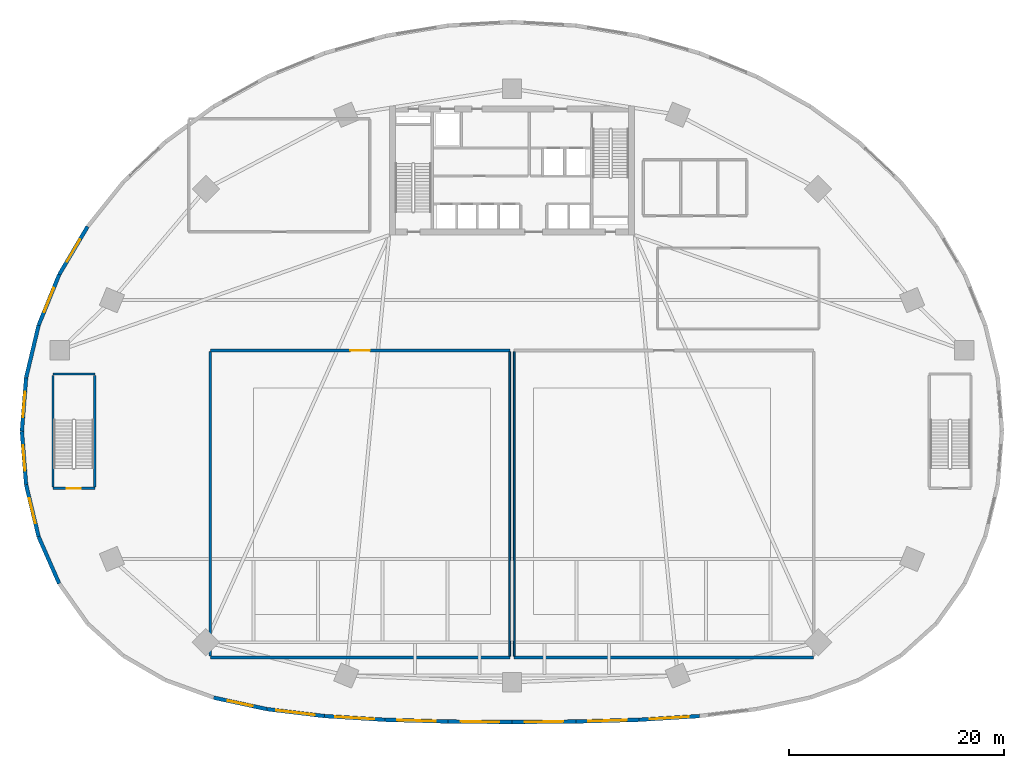
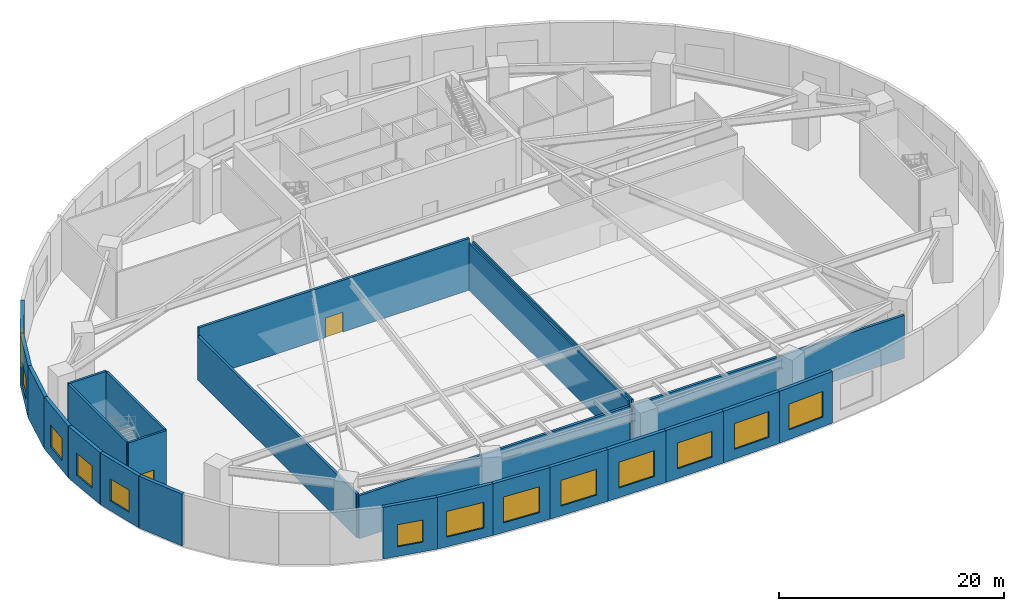
# One storey, part 2 of 10: 25 walls, 13 windows, 2 doors, 15 openings.
"""IFC4 building model written with IfcOpenShell, lengths in metres."""

import ifcopenshell
import ifcopenshell.guid

model = None  # the IFC model being written
_history = None  # IfcOwnerHistory: only IFC2X3 demands one
_inside = {}  # id of a spatial element -> (the spatial element, [elements in it])
_under = {}  # id of a project, library or spatial element -> (it, [spatial elements below it])
_declared = {}  # id of a project -> (the project, [libraries it declares])
_typed = {}  # id of a type object -> (the type object, [elements of that type])
_made_of = {}  # id of a material, layer set ... -> (it, [elements and type objects made of it])


def new_model(schema):
    """Start an empty IFC model of exactly this schema.

    Asked for "IFC4X3", IfcOpenShell would pick the latest addendum, in which some entities
    have other attributes; the version numbers below select the first issue.
    IFC2X3 requires an IfcOwnerHistory on every rooted entity: one is made here for all.
    """
    global model, _history
    if schema == "IFC4X3":
        model = ifcopenshell.file(schema_version=(4, 3, 0, 0))
    else:
        model = ifcopenshell.file(schema=schema)
    _inside.clear()
    _under.clear()
    _declared.clear()
    _typed.clear()
    _made_of.clear()
    _history = None
    if model.schema == "IFC2X3":
        org = make("IfcOrganization", Name="unknown")
        user = make(
            "IfcPersonAndOrganization",
            ThePerson=make("IfcPerson", FamilyName="unknown"),
            TheOrganization=org,
        )
        app = make(
            "IfcApplication",
            ApplicationDeveloper=org,
            Version="unknown",
            ApplicationFullName="unknown",
            ApplicationIdentifier="unknown",
        )
        _history = make(
            "IfcOwnerHistory",
            OwningUser=user,
            OwningApplication=app,
            ChangeAction="ADDED",
            CreationDate=0,
        )
    return model


def make(cls, **values):
    """One entity of the class cls with the attributes given. An attribute that is None is left unset."""
    return model.create_entity(
        cls, **{name: value for name, value in values.items() if value is not None}
    )


def rooted(cls, **values):
    """An entity with a GlobalId (a new one), such as an element, a storey or a relation."""
    return make(cls, GlobalId=ifcopenshell.guid.new(), OwnerHistory=_history, **values)


def si_unit(unit_type, name, prefix=None):
    """IfcSIUnit, for example si_unit("LENGTHUNIT", "METRE", prefix="MILLI")."""
    return make("IfcSIUnit", UnitType=unit_type, Prefix=prefix, Name=name)


def assignment(units):
    """IfcUnitAssignment: the units of a project."""
    return None if units is None else make("IfcUnitAssignment", Units=units)


def point(xyz):
    """IfcCartesianPoint."""
    return None if xyz is None else make("IfcCartesianPoint", Coordinates=xyz)


def direction(xyz):
    """IfcDirection."""
    return None if xyz is None else make("IfcDirection", DirectionRatios=xyz)


def frame(location, z_axis=None, x_axis=None):
    """IfcAxis2Placement3D, a coordinate frame: its origin and axes. An axis left out is left unset."""
    return make(
        "IfcAxis2Placement3D",
        Location=point(location),
        Axis=direction(z_axis),
        RefDirection=direction(x_axis),
    )


def frame_2d(location, x_axis=None):
    """IfcAxis2Placement2D, a coordinate frame in the plane: its origin and x axis."""
    return make(
        "IfcAxis2Placement2D", Location=point(location), RefDirection=direction(x_axis)
    )


def origin():
    """The frame at (0, 0, 0) with its axes left unset."""
    return frame((0.0, 0.0, 0.0))


def place(relative_to, where):
    """IfcLocalPlacement: puts the frame where relative to a parent placement (None: the world)."""
    return make(
        "IfcLocalPlacement", PlacementRelTo=relative_to, RelativePlacement=where
    )


def context(
    kind, dimensions, precision=None, world=None, true_north=None, identifier=None
):
    """IfcGeometricRepresentationContext, for example the 3D "Model" context."""
    return make(
        "IfcGeometricRepresentationContext",
        ContextIdentifier=identifier,
        ContextType=kind,
        CoordinateSpaceDimension=dimensions,
        Precision=precision,
        WorldCoordinateSystem=world,
        TrueNorth=true_north,
    )


def subcontext(parent, identifier, kind, view, scale=None):
    """IfcGeometricRepresentationSubContext, for example "Body" below "Model"."""
    return make(
        "IfcGeometricRepresentationSubContext",
        ContextIdentifier=identifier,
        ContextType=kind,
        ParentContext=parent,
        TargetScale=scale,
        TargetView=view,
    )


def project(units=None, contexts=None):
    """IfcProject with its units and contexts."""
    return rooted(
        "IfcProject",
        Name="project",
        RepresentationContexts=contexts,
        UnitsInContext=assignment(units),
    )


def spatial(cls, under=None, at=None, **own):
    """A site, building, storey or space (cls), placed at a placement, below another one or the project."""
    s = rooted(cls, ObjectPlacement=at, **own)
    if under is not None:
        _under.setdefault(under.id(), (under, []))[1].append(s)
    return s


def profile(cls, at=None, kind="AREA", **sizes):
    """A parametric profile (cls). Its sizes go by their IFC names, for example OverallWidth=200.0."""
    return make(cls, ProfileType=kind, Position=at, **sizes)


def rectangle(**sizes):
    """IfcRectangleProfileDef."""
    return profile("IfcRectangleProfileDef", **sizes)


def extrude(swept, where, along, depth):
    """IfcExtrudedAreaSolid: the profile swept, set in the frame where, extruded along a direction by depth."""
    return make(
        "IfcExtrudedAreaSolid",
        SweptArea=swept,
        Position=where,
        ExtrudedDirection=direction(along),
        Depth=depth,
    )


def shape(context_of_items, identifier, shape_type, items):
    """IfcShapeRepresentation: the items that make up one representation, for example the "Body"."""
    return make(
        "IfcShapeRepresentation",
        ContextOfItems=context_of_items,
        RepresentationIdentifier=identifier,
        RepresentationType=shape_type,
        Items=items,
    )


def source(mapping_origin, context_of_items, identifier, shape_type, items):
    """IfcRepresentationMap: a shape defined once, which mapped items show again and again."""
    return make(
        "IfcRepresentationMap",
        MappingOrigin=mapping_origin,
        MappedRepresentation=shape(context_of_items, identifier, shape_type, items),
    )


def transform(
    local_origin,
    x_axis=None,
    y_axis=None,
    z_axis=None,
    scale=None,
    scale2=None,
    scale3=None,
    uniform=True,
):
    """IfcCartesianTransformationOperator3D, or its non-uniform kind. x_axis, y_axis, z_axis: its Axis1, 2, 3."""
    if uniform:
        return make(
            "IfcCartesianTransformationOperator3D",
            Axis1=direction(x_axis),
            Axis2=direction(y_axis),
            LocalOrigin=point(local_origin),
            Scale=scale,
            Axis3=direction(z_axis),
        )
    return make(
        "IfcCartesianTransformationOperator3DnonUniform",
        Axis1=direction(x_axis),
        Axis2=direction(y_axis),
        LocalOrigin=point(local_origin),
        Scale=scale,
        Axis3=direction(z_axis),
        Scale2=scale2,
        Scale3=scale3,
    )


def mapped(mapping_source, mapping_target):
    """IfcMappedItem: shows the shape of a source again, moved by a transform."""
    return make(
        "IfcMappedItem", MappingSource=mapping_source, MappingTarget=mapping_target
    )


def material(Name=None, Category=None):
    """IfcMaterial."""
    return make("IfcMaterial", Name=Name, Category=Category)


def layer(
    of_material, thickness, ventilated=None, Name=None, Category=None, Priority=None
):
    """IfcMaterialLayer: one layer of a wall or slab, of a material (None: an air gap)."""
    return make(
        "IfcMaterialLayer",
        Material=of_material,
        LayerThickness=thickness,
        IsVentilated=ventilated,
        Name=Name,
        Category=Category,
        Priority=Priority,
    )


def layer_set(layers, Name=None):
    """IfcMaterialLayerSet."""
    return make("IfcMaterialLayerSet", MaterialLayers=layers, LayerSetName=Name)


def made_of(thing, what):
    """Note that an element or type object is made of a material, layer set ...; save() writes the relation."""
    if what is not None:
        _made_of.setdefault(what.id(), (what, []))[1].append(thing)
    return thing


def type_object(cls, material=None, **own):
    """A type object (cls), such as IfcWallType, which elements share."""
    return made_of(rooted(cls, **own), material)


def type_shapes(of_type, sources):
    """Give a type object the sources (RepresentationMaps) that its elements show as mapped items."""
    of_type.RepresentationMaps = sources


def element(
    cls,
    number,
    at=None,
    inside=None,
    cuts=None,
    type_object=None,
    material=None,
    context=None,
    identifier="Body",
    shape_type=None,
    held_by="IfcProductDefinitionShape",
    body=None,
    shapes=None,
    **own,
):
    """One element of the class cls, such as IfcWall. Its Tag is "e" and its number.

    at: its placement. inside: the storey or other place that contains it. cuts: it is an
    opening in that element (IfcRelVoidsElement). A single representation is given by context,
    identifier, shape_type and body (its items); several are given by shapes. held_by: the class
    of the entity that holds the representations. save() writes the other relations.
    """
    e = rooted(cls, Tag="e%d" % number, ObjectPlacement=at, **own)
    if body is not None:
        shapes = [shape(context, identifier, shape_type, body)]
    if shapes is not None:
        e.Representation = make(held_by, Representations=shapes)
    if inside is not None:
        _inside.setdefault(inside.id(), (inside, []))[1].append(e)
    if cuts is not None:
        rooted(
            "IfcRelVoidsElement", RelatingBuildingElement=cuts, RelatedOpeningElement=e
        )
    if type_object is not None:
        _typed.setdefault(type_object.id(), (type_object, []))[1].append(e)
    return made_of(e, material)


def fill(opening, filler):
    """IfcRelFillsElement: the door or window that sits in an opening."""
    return rooted(
        "IfcRelFillsElement",
        RelatingOpeningElement=opening,
        RelatedBuildingElement=filler,
    )


def aggregate(whole, parts):
    """IfcRelAggregates: a whole, such as a stair, and the parts it consists of."""
    return rooted("IfcRelAggregates", RelatingObject=whole, RelatedObjects=parts)


def save(model, path):
    """Write the relations noted so far, then the file.

    IfcRelAggregates (storeys below a building ...), IfcRelContainedInSpatialStructure (elements
    in a storey), IfcRelDefinesByType, IfcRelAssociatesMaterial and IfcRelDeclares: one each for
    every whole, place, type object, material and project.
    """
    for whole, parts in _under.values():
        aggregate(whole, parts)
    for where, things in _inside.values():
        rooted(
            "IfcRelContainedInSpatialStructure",
            RelatedElements=things,
            RelatingStructure=where,
        )
    for kind, things in _typed.values():
        rooted("IfcRelDefinesByType", RelatedObjects=things, RelatingType=kind)
    for what, things in _made_of.values():
        rooted("IfcRelAssociatesMaterial", RelatedObjects=things, RelatingMaterial=what)
    for by, libraries in _declared.values():
        rooted("IfcRelDeclares", RelatingContext=by, RelatedDefinitions=libraries)
    model.write(path)


model = new_model("IFC4")

# Units and contexts
model_context = context("Model", 3, precision=1e-05, world=origin(), true_north=direction((0.0, 1.0)))
body_context = subcontext(model_context, "Body", "Model", "MODEL_VIEW")
ifc_project = project(units=[si_unit("LENGTHUNIT", "METRE"), si_unit("AREAUNIT", "SQUARE_METRE"), si_unit("VOLUMEUNIT", "CUBIC_METRE"), si_unit("PLANEANGLEUNIT", "RADIAN"), si_unit("MASSUNIT", "GRAM", prefix="KILO")], contexts=[model_context])

# Site, building, storey
site_placement = place(None, origin())
site = spatial("IfcSite", under=ifc_project, at=site_placement, CompositionType="ELEMENT")
building_placement = place(site_placement, origin())
building = spatial("IfcBuilding", under=site, at=building_placement, Name="Breltana Convention Tower", CompositionType="ELEMENT")
storey_placement = place(building_placement, frame((0.0, 0.0, 18.0)))
storey = spatial("IfcBuildingStorey", under=building, at=storey_placement, Name="L03", CompositionType="ELEMENT", Elevation=18.0)

# Wall, opening, window
ifc_material_1 = material(Name="Limestone Buff Insulated Wall", Category="masonry")
ifc_layer_1 = layer(ifc_material_1, 0.35009765625, Name="Limestone Buff Insulated Wall")
ifc_layer_set_1 = layer_set([ifc_layer_1], Name="Limestone Buff Insulated Wall")
wall_type_1 = type_object("IfcWallType", Name="WL-EXT-POD-350", PredefinedType="SOLIDWALL", material=ifc_layer_set_1)
shared_shape_1 = source(origin(), body_context, "Body", "SweptSolid", [
    extrude(rectangle(XDim=4.975341796875, YDim=0.35009765625, at=frame_2d((2.48779296875, 0.0))), origin(), (0.0, 0.0, 1.0), 5.6201171875),
])
wall_1_placement = place(storey_placement, frame((2.889404296875, 46.9599609375, 0.0), z_axis=(0.0, 0.0, 1.0), x_axis=(-0.07826870534, -0.996932299489, 0.0)))
wall_1 = element("IfcWall", 1, at=wall_1_placement, inside=storey, type_object=wall_type_1, Name="L03 limestone facade wall 24", PredefinedType="SOLIDWALL", context=body_context, shape_type="MappedRepresentation", body=[
    mapped(shared_shape_1, transform((0.0, 0.0, 0.0), scale=1.0)),
])
opening_1_placement = place(wall_1_placement, frame((1.28759765625, 0.0, 1.050048828125)))
opening_1 = element("IfcOpeningElement", 2, at=opening_1_placement, cuts=wall_1, Name="Opening W-02", PredefinedType="OPENING", context=body_context, shape_type="SweptSolid", body=[
    extrude(rectangle(XDim=2.39990234375, YDim=2.39990234375, at=frame_2d((1.199951171875, 1.199951171875))), frame((0.0, 0.18505859375, 0.0), z_axis=(0.0, -1.0, 0.0), x_axis=(1.0, 0.0, 0.0)), (0.0, 0.0, 1.0), 0.3701171875),
])
ifc_material_2 = material(Name="Glass Low-E Insulated Window", Category="glass")
window_type_1 = type_object("IfcWindowType", Name="WN-POD-2400X2400", PartitioningType="DOUBLE_PANEL_VERTICAL", PredefinedType="WINDOW", material=ifc_material_2)
shared_shape_2 = source(origin(), body_context, "Body", "SweptSolid", [
    extrude(rectangle(XDim=2.39990234375, YDim=2.39990234375, at=frame_2d((1.199951171875, 1.199951171875))), frame((0.0, 0.030029296875, 0.0), z_axis=(0.0, -1.0, 0.0), x_axis=(1.0, 0.0, 0.0)), (0.0, 0.0, 1.0), 0.06005859375),
])
type_shapes(window_type_1, [shared_shape_2])
window_1_placement = place(opening_1_placement, origin())
window_1 = element("IfcWindow", 3, at=window_1_placement, inside=storey, type_object=window_type_1, Name="L03 tripartite window 24.1", OverallHeight=2.39990234375, OverallWidth=2.39990234375, PartitioningType="DOUBLE_PANEL_VERTICAL", PredefinedType="WINDOW", context=body_context, shape_type="MappedRepresentation", body=[
    mapped(shared_shape_2, transform((0.0, 0.0, 0.0), scale=1.0)),
])
fill(opening_1, window_1)

wall_2_placement = place(storey_placement, frame((2.5, 42.0, 0.0), z_axis=(0.0, 0.0, 1.0), x_axis=(0.07826870534, -0.996932299489, 0.0)))
wall_2 = element("IfcWall", 4, at=wall_2_placement, inside=storey, type_object=wall_type_1, Name="L03 limestone facade wall 25", PredefinedType="SOLIDWALL", context=body_context, shape_type="MappedRepresentation", body=[
    mapped(shared_shape_1, transform((0.0, 0.0, 0.0), scale=1.0)),
])
opening_2_placement = place(wall_2_placement, frame((1.28759765625, 0.0, 1.050048828125)))
opening_2 = element("IfcOpeningElement", 5, at=opening_2_placement, cuts=wall_2, Name="Opening W-02", PredefinedType="OPENING", context=body_context, shape_type="SweptSolid", body=[
    extrude(rectangle(XDim=2.39990234375, YDim=2.39990234375, at=frame_2d((1.199951171875, 1.199951171875))), frame((0.0, 0.18505859375, 0.0), z_axis=(0.0, -1.0, 0.0), x_axis=(1.0, 0.0, 0.0)), (0.0, 0.0, 1.0), 0.3701171875),
])
window_2_placement = place(opening_2_placement, origin())
window_2 = element("IfcWindow", 6, at=window_2_placement, inside=storey, type_object=window_type_1, Name="L03 tripartite window 25.1", OverallHeight=2.39990234375, OverallWidth=2.39990234375, PartitioningType="DOUBLE_PANEL_VERTICAL", PredefinedType="WINDOW", context=body_context, shape_type="MappedRepresentation", body=[
    mapped(shared_shape_2, transform((0.0, 0.0, 0.0), scale=1.0)),
])
fill(opening_2, window_2)

# Wall
shared_shape_3 = source(origin(), body_context, "Body", "SweptSolid", [
    extrude(rectangle(XDim=5.011474609375, YDim=0.35009765625, at=frame_2d((2.505859375, 0.0))), origin(), (0.0, 0.0, 1.0), 5.6201171875),
])
wall_3_placement = place(storey_placement, frame((4.05029296875, 51.835205078125, 0.0), z_axis=(0.0, 0.0, 1.0), x_axis=(-0.23164248061, -0.972800987446, 0.0)))
element("IfcWall", 7, at=wall_3_placement, inside=storey, type_object=wall_type_1, Name="L03 limestone facade wall 23", PredefinedType="SOLIDWALL", context=body_context, shape_type="MappedRepresentation", body=[
    mapped(shared_shape_3, transform((0.0, 0.0, 0.0), scale=1.0)),
])

# Wall, opening, window
shared_shape_4 = source(origin(), body_context, "Body", "SweptSolid", [
    extrude(rectangle(XDim=5.080810546875, YDim=0.35009765625, at=frame_2d((2.54052734375, 0.0))), origin(), (0.0, 0.0, 1.0), 5.6201171875),
])
wall_4_placement = place(storey_placement, frame((5.96337890625, 56.5419921875, 0.0), z_axis=(0.0, 0.0, 1.0), x_axis=(-0.376538155573, -0.926401110425, 0.0)))
wall_4 = element("IfcWall", 8, at=wall_4_placement, inside=storey, type_object=wall_type_1, Name="L03 limestone facade wall 22", PredefinedType="SOLIDWALL", context=body_context, shape_type="MappedRepresentation", body=[
    mapped(shared_shape_4, transform((0.0, 0.0, 0.0), scale=1.0)),
])
opening_3_placement = place(wall_4_placement, frame((1.34033203125, 0.0, 1.050048828125)))
opening_3 = element("IfcOpeningElement", 9, at=opening_3_placement, cuts=wall_4, Name="Opening W-02", PredefinedType="OPENING", context=body_context, shape_type="SweptSolid", body=[
    extrude(rectangle(XDim=2.39990234375, YDim=2.39990234375, at=frame_2d((1.199951171875, 1.199951171875))), frame((0.0, 0.18505859375, 0.0), z_axis=(0.0, -1.0, 0.0), x_axis=(1.0, 0.0, 0.0)), (0.0, 0.0, 1.0), 0.3701171875),
])
window_3_placement = place(opening_3_placement, origin())
window_3 = element("IfcWindow", 10, at=window_3_placement, inside=storey, type_object=window_type_1, Name="L03 tripartite window 22.1", OverallHeight=2.39990234375, OverallWidth=2.39990234375, PartitioningType="DOUBLE_PANEL_VERTICAL", PredefinedType="WINDOW", context=body_context, shape_type="MappedRepresentation", body=[
    mapped(shared_shape_2, transform((0.0, 0.0, 0.0), scale=1.0)),
])
fill(opening_3, window_3)

shared_shape_5 = source(origin(), body_context, "Body", "SweptSolid", [
    extrude(rectangle(XDim=5.17724609375, YDim=0.35009765625, at=frame_2d((2.588623046875, 0.0))), origin(), (0.0, 0.0, 1.0), 5.6201171875),
])
wall_5_placement = place(storey_placement, frame((8.595703125, 61.0, 0.0), z_axis=(0.0, 0.0, 1.0), x_axis=(-0.508449663637, -0.861091713784, 0.0)))
wall_5 = element("IfcWall", 11, at=wall_5_placement, inside=storey, type_object=wall_type_1, Name="L03 limestone facade wall 21", PredefinedType="SOLIDWALL", context=body_context, shape_type="MappedRepresentation", body=[
    mapped(shared_shape_5, transform((0.0, 0.0, 0.0), scale=1.0)),
])
opening_4_placement = place(wall_5_placement, frame((1.388671875, 0.0, 1.050048828125)))
opening_4 = element("IfcOpeningElement", 12, at=opening_4_placement, cuts=wall_5, Name="Opening W-02", PredefinedType="OPENING", context=body_context, shape_type="SweptSolid", body=[
    extrude(rectangle(XDim=2.39990234375, YDim=2.39990234375, at=frame_2d((1.199951171875, 1.199951171875))), frame((0.0, 0.18505859375, 0.0), z_axis=(0.0, -1.0, 0.0), x_axis=(1.0, 0.0, 0.0)), (0.0, 0.0, 1.0), 0.3701171875),
])
window_4_placement = place(opening_4_placement, origin())
window_4 = element("IfcWindow", 13, at=window_4_placement, inside=storey, type_object=window_type_1, Name="L03 tripartite window 21.1", OverallHeight=2.39990234375, OverallWidth=2.39990234375, PartitioningType="DOUBLE_PANEL_VERTICAL", PredefinedType="WINDOW", context=body_context, shape_type="MappedRepresentation", body=[
    mapped(shared_shape_2, transform((0.0, 0.0, 0.0), scale=1.0)),
])
fill(opening_4, window_4)

shared_shape_6 = source(origin(), body_context, "Body", "SweptSolid", [
    extrude(rectangle(XDim=4.968994140625, YDim=0.35009765625, at=frame_2d((2.484375, 0.0))), origin(), (0.0, 0.0, 1.0), 5.6201171875),
])
wall_6_placement = place(storey_placement, frame((2.889404296875, 37.0400390625, 0.0), z_axis=(0.0, 0.0, 1.0), x_axis=(0.233623809029, -0.972327062184, 0.0)))
wall_6 = element("IfcWall", 14, at=wall_6_placement, inside=storey, type_object=wall_type_1, Name="L03 limestone facade wall 26", PredefinedType="SOLIDWALL", context=body_context, shape_type="MappedRepresentation", body=[
    mapped(shared_shape_6, transform((0.0, 0.0, 0.0), scale=1.0)),
])
opening_5_placement = place(wall_6_placement, frame((1.284423828125, 0.0, 1.050048828125)))
opening_5 = element("IfcOpeningElement", 15, at=opening_5_placement, cuts=wall_6, Name="Opening W-02", PredefinedType="OPENING", context=body_context, shape_type="SweptSolid", body=[
    extrude(rectangle(XDim=2.39990234375, YDim=2.39990234375, at=frame_2d((1.199951171875, 1.199951171875))), frame((0.0, 0.18505859375, 0.0), z_axis=(0.0, -1.0, 0.0), x_axis=(1.0, 0.0, 0.0)), (0.0, 0.0, 1.0), 0.3701171875),
])
window_5_placement = place(opening_5_placement, origin())
window_5 = element("IfcWindow", 16, at=window_5_placement, inside=storey, type_object=window_type_1, Name="L03 tripartite window 26.1", OverallHeight=2.39990234375, OverallWidth=2.39990234375, PartitioningType="DOUBLE_PANEL_VERTICAL", PredefinedType="WINDOW", context=body_context, shape_type="MappedRepresentation", body=[
    mapped(shared_shape_2, transform((0.0, 0.0, 0.0), scale=1.0)),
])
fill(opening_5, window_5)

# Wall
shared_shape_7 = source(origin(), body_context, "Body", "SweptSolid", [
    extrude(rectangle(XDim=4.756103515625, YDim=0.35009765625, at=frame_2d((2.3779296875, 0.0))), origin(), (0.0, 0.0, 1.0), 5.6201171875),
])
wall_7_placement = place(storey_placement, frame((4.05029296875, 32.20849609375, 0.0), z_axis=(0.0, 0.0, 1.0), x_axis=(0.402248274654, -0.915530625123, 0.0)))
element("IfcWall", 17, at=wall_7_placement, inside=storey, type_object=wall_type_1, Name="L03 limestone facade wall 27", PredefinedType="SOLIDWALL", context=body_context, shape_type="MappedRepresentation", body=[
    mapped(shared_shape_7, transform((0.0, 0.0, 0.0), scale=1.0)),
])

# Wall, opening, window
shared_shape_8 = source(origin(), body_context, "Body", "SweptSolid", [
    extrude(rectangle(XDim=5.062255859375, YDim=0.35009765625, at=frame_2d((2.53125, 0.0))), origin(), (0.0, 0.0, 1.0), 5.6201171875),
])
wall_8_placement = place(storey_placement, frame((20.301513671875, 17.2626953125, 0.0), z_axis=(0.0, 0.0, 1.0), x_axis=(0.977548321811, -0.210711363066, 0.0)))
wall_8 = element("IfcWall", 18, at=wall_8_placement, inside=storey, type_object=wall_type_1, Name="L03 limestone facade wall 32", PredefinedType="SOLIDWALL", context=body_context, shape_type="MappedRepresentation", body=[
    mapped(shared_shape_8, transform((0.0, 0.0, 0.0), scale=1.0)),
])
opening_6_placement = place(wall_8_placement, frame((1.3310546875, 0.0, 1.050048828125)))
opening_6 = element("IfcOpeningElement", 19, at=opening_6_placement, cuts=wall_8, Name="Opening W-02", PredefinedType="OPENING", context=body_context, shape_type="SweptSolid", body=[
    extrude(rectangle(XDim=2.39990234375, YDim=2.39990234375, at=frame_2d((1.199951171875, 1.199951171875))), frame((0.0, 0.18505859375, 0.0), z_axis=(0.0, -1.0, 0.0), x_axis=(1.0, 0.0, 0.0)), (0.0, 0.0, 1.0), 0.3701171875),
])
window_6_placement = place(opening_6_placement, origin())
window_6 = element("IfcWindow", 20, at=window_6_placement, inside=storey, type_object=window_type_1, Name="L03 tripartite window 32.1", OverallHeight=2.39990234375, OverallWidth=2.39990234375, PartitioningType="DOUBLE_PANEL_VERTICAL", PredefinedType="WINDOW", context=body_context, shape_type="MappedRepresentation", body=[
    mapped(shared_shape_2, transform((0.0, 0.0, 0.0), scale=1.0)),
])
fill(opening_6, window_6)

shared_shape_9 = source(origin(), body_context, "Body", "SweptSolid", [
    extrude(rectangle(XDim=5.37646484375, YDim=0.35009765625, at=frame_2d((2.688232421875, 0.0))), origin(), (0.0, 0.0, 1.0), 5.6201171875),
])
wall_9_placement = place(storey_placement, frame((25.25, 16.196044921875, 0.0), z_axis=(0.0, 0.0, 1.0), x_axis=(0.992815901624, -0.119651934723, 0.0)))
wall_9 = element("IfcWall", 21, at=wall_9_placement, inside=storey, type_object=wall_type_1, Name="L03 limestone facade wall 33", PredefinedType="SOLIDWALL", context=body_context, shape_type="MappedRepresentation", body=[
    mapped(shared_shape_9, transform((0.0, 0.0, 0.0), scale=1.0)),
])
opening_7_placement = place(wall_9_placement, frame((0.88818359375, 0.0, 1.050048828125)))
opening_7 = element("IfcOpeningElement", 22, at=opening_7_placement, cuts=wall_9, Name="Opening W-01", PredefinedType="OPENING", context=body_context, shape_type="SweptSolid", body=[
    extrude(rectangle(XDim=3.60009765625, YDim=2.800048828125, at=frame_2d((1.800048828125, 1.39990234375))), frame((0.0, 0.18505859375, 0.0), z_axis=(0.0, -1.0, 0.0), x_axis=(1.0, 0.0, 0.0)), (0.0, 0.0, 1.0), 0.3701171875),
])
window_type_2 = type_object("IfcWindowType", Name="WN-POD-3600X2800", PartitioningType="TRIPLE_PANEL_VERTICAL", PredefinedType="WINDOW", material=ifc_material_2)
shared_shape_10 = source(origin(), body_context, "Body", "SweptSolid", [
    extrude(rectangle(XDim=3.60009765625, YDim=2.800048828125, at=frame_2d((1.800048828125, 1.39990234375))), frame((0.0, 0.030029296875, 0.0), z_axis=(0.0, -1.0, 0.0), x_axis=(1.0, 0.0, 0.0)), (0.0, 0.0, 1.0), 0.06005859375),
])
type_shapes(window_type_2, [shared_shape_10])
window_7_placement = place(opening_7_placement, origin())
window_7 = element("IfcWindow", 23, at=window_7_placement, inside=storey, type_object=window_type_2, Name="L03 tripartite window 33.1", OverallHeight=2.800048828125, OverallWidth=3.60009765625, PartitioningType="TRIPLE_PANEL_VERTICAL", PredefinedType="WINDOW", context=body_context, shape_type="MappedRepresentation", body=[
    mapped(shared_shape_10, transform((0.0, 0.0, 0.0), scale=1.0)),
])
fill(opening_7, window_7)

shared_shape_11 = source(origin(), body_context, "Body", "SweptSolid", [
    extrude(rectangle(XDim=5.646484375, YDim=0.35009765625, at=frame_2d((2.8232421875, 0.0))), origin(), (0.0, 0.0, 1.0), 5.6201171875),
])
wall_10_placement = place(storey_placement, frame((30.587890625, 15.552734375, 0.0), z_axis=(0.0, 0.0, 1.0), x_axis=(0.998102723982, -0.061570710403, 0.0)))
wall_10 = element("IfcWall", 24, at=wall_10_placement, inside=storey, type_object=wall_type_1, Name="L03 limestone facade wall 34", PredefinedType="SOLIDWALL", context=body_context, shape_type="MappedRepresentation", body=[
    mapped(shared_shape_11, transform((0.0, 0.0, 0.0), scale=1.0)),
])
opening_8_placement = place(wall_10_placement, frame((1.023193359375, 0.0, 1.050048828125)))
opening_8 = element("IfcOpeningElement", 25, at=opening_8_placement, cuts=wall_10, Name="Opening W-01", PredefinedType="OPENING", context=body_context, shape_type="SweptSolid", body=[
    extrude(rectangle(XDim=3.60009765625, YDim=2.800048828125, at=frame_2d((1.800048828125, 1.39990234375))), frame((0.0, 0.18505859375, 0.0), z_axis=(0.0, -1.0, 0.0), x_axis=(1.0, 0.0, 0.0)), (0.0, 0.0, 1.0), 0.3701171875),
])
window_8_placement = place(opening_8_placement, origin())
window_8 = element("IfcWindow", 26, at=window_8_placement, inside=storey, type_object=window_type_2, Name="L03 tripartite window 34.1", OverallHeight=2.800048828125, OverallWidth=3.60009765625, PartitioningType="TRIPLE_PANEL_VERTICAL", PredefinedType="WINDOW", context=body_context, shape_type="MappedRepresentation", body=[
    mapped(shared_shape_10, transform((0.0, 0.0, 0.0), scale=1.0)),
])
fill(opening_8, window_8)

wall_11_placement = place(storey_placement, frame((59.7763671875, 15.205078125, 0.0), z_axis=(0.0, 0.0, 1.0), x_axis=(0.998102723982, 0.061570710403, 0.0)))
wall_11 = element("IfcWall", 27, at=wall_11_placement, inside=storey, type_object=wall_type_1, Name="L03 limestone facade wall 39", PredefinedType="SOLIDWALL", context=body_context, shape_type="MappedRepresentation", body=[
    mapped(shared_shape_11, transform((0.0, 0.0, 0.0), scale=1.0)),
])
opening_9_placement = place(wall_11_placement, frame((1.023193359375, 0.0, 1.050048828125)))
opening_9 = element("IfcOpeningElement", 28, at=opening_9_placement, cuts=wall_11, Name="Opening W-01", PredefinedType="OPENING", context=body_context, shape_type="SweptSolid", body=[
    extrude(rectangle(XDim=3.60009765625, YDim=2.800048828125, at=frame_2d((1.800048828125, 1.39990234375))), frame((0.0, 0.18505859375, 0.0), z_axis=(0.0, -1.0, 0.0), x_axis=(1.0, 0.0, 0.0)), (0.0, 0.0, 1.0), 0.3701171875),
])
window_9_placement = place(opening_9_placement, origin())
window_9 = element("IfcWindow", 29, at=window_9_placement, inside=storey, type_object=window_type_2, Name="L03 tripartite window 39.1", OverallHeight=2.800048828125, OverallWidth=3.60009765625, PartitioningType="TRIPLE_PANEL_VERTICAL", PredefinedType="WINDOW", context=body_context, shape_type="MappedRepresentation", body=[
    mapped(shared_shape_10, transform((0.0, 0.0, 0.0), scale=1.0)),
])
fill(opening_9, window_9)

shared_shape_12 = source(origin(), body_context, "Body", "SweptSolid", [
    extrude(rectangle(XDim=5.839599609375, YDim=0.35009765625, at=frame_2d((2.919921875, 0.0))), origin(), (0.0, 0.0, 1.0), 5.6201171875),
])
wall_12_placement = place(storey_placement, frame((36.2236328125, 15.205078125, 0.0), z_axis=(0.0, 0.0, 1.0), x_axis=(0.999623839291, -0.027425898728, 0.0)))
wall_12 = element("IfcWall", 30, at=wall_12_placement, inside=storey, type_object=wall_type_1, Name="L03 limestone facade wall 35", PredefinedType="SOLIDWALL", context=body_context, shape_type="MappedRepresentation", body=[
    mapped(shared_shape_12, transform((0.0, 0.0, 0.0), scale=1.0)),
])
opening_10_placement = place(wall_12_placement, frame((1.119873046875, 0.0, 1.050048828125)))
opening_10 = element("IfcOpeningElement", 31, at=opening_10_placement, cuts=wall_12, Name="Opening W-01", PredefinedType="OPENING", context=body_context, shape_type="SweptSolid", body=[
    extrude(rectangle(XDim=3.60009765625, YDim=2.800048828125, at=frame_2d((1.800048828125, 1.39990234375))), frame((0.0, 0.18505859375, 0.0), z_axis=(0.0, -1.0, 0.0), x_axis=(1.0, 0.0, 0.0)), (0.0, 0.0, 1.0), 0.3701171875),
])
window_10_placement = place(opening_10_placement, origin())
window_10 = element("IfcWindow", 32, at=window_10_placement, inside=storey, type_object=window_type_2, Name="L03 tripartite window 35.1", OverallHeight=2.800048828125, OverallWidth=3.60009765625, PartitioningType="TRIPLE_PANEL_VERTICAL", PredefinedType="WINDOW", context=body_context, shape_type="MappedRepresentation", body=[
    mapped(shared_shape_10, transform((0.0, 0.0, 0.0), scale=1.0)),
])
fill(opening_10, window_10)

wall_13_placement = place(storey_placement, frame((53.93896484375, 15.044921875, 0.0), z_axis=(0.0, 0.0, 1.0), x_axis=(0.999623839291, 0.027425898728, 0.0)))
wall_13 = element("IfcWall", 33, at=wall_13_placement, inside=storey, type_object=wall_type_1, Name="L03 limestone facade wall 38", PredefinedType="SOLIDWALL", context=body_context, shape_type="MappedRepresentation", body=[
    mapped(shared_shape_12, transform((0.0, 0.0, 0.0), scale=1.0)),
])
opening_11_placement = place(wall_13_placement, frame((1.119873046875, 0.0, 1.050048828125)))
opening_11 = element("IfcOpeningElement", 34, at=opening_11_placement, cuts=wall_13, Name="Opening W-01", PredefinedType="OPENING", context=body_context, shape_type="SweptSolid", body=[
    extrude(rectangle(XDim=3.60009765625, YDim=2.800048828125, at=frame_2d((1.800048828125, 1.39990234375))), frame((0.0, 0.18505859375, 0.0), z_axis=(0.0, -1.0, 0.0), x_axis=(1.0, 0.0, 0.0)), (0.0, 0.0, 1.0), 0.3701171875),
])
window_11_placement = place(opening_11_placement, origin())
window_11 = element("IfcWindow", 35, at=window_11_placement, inside=storey, type_object=window_type_2, Name="L03 tripartite window 38.1", OverallHeight=2.800048828125, OverallWidth=3.60009765625, PartitioningType="TRIPLE_PANEL_VERTICAL", PredefinedType="WINDOW", context=body_context, shape_type="MappedRepresentation", body=[
    mapped(shared_shape_10, transform((0.0, 0.0, 0.0), scale=1.0)),
])
fill(opening_11, window_11)

shared_shape_13 = source(origin(), body_context, "Body", "SweptSolid", [
    extrude(rectangle(XDim=5.939208984375, YDim=0.35009765625, at=frame_2d((2.9697265625, 0.0))), origin(), (0.0, 0.0, 1.0), 5.6201171875),
])
wall_14_placement = place(storey_placement, frame((42.06103515625, 15.044921875, 0.0), z_axis=(0.0, 0.0, 1.0), x_axis=(0.999971394759, -0.007563707006, 0.0)))
wall_14 = element("IfcWall", 36, at=wall_14_placement, inside=storey, type_object=wall_type_1, Name="L03 limestone facade wall 36", PredefinedType="SOLIDWALL", context=body_context, shape_type="MappedRepresentation", body=[
    mapped(shared_shape_13, transform((0.0, 0.0, 0.0), scale=1.0)),
])
opening_12_placement = place(wall_14_placement, frame((1.16943359375, 0.0, 1.050048828125)))
opening_12 = element("IfcOpeningElement", 37, at=opening_12_placement, cuts=wall_14, Name="Opening W-01", PredefinedType="OPENING", context=body_context, shape_type="SweptSolid", body=[
    extrude(rectangle(XDim=3.60009765625, YDim=2.800048828125, at=frame_2d((1.800048828125, 1.39990234375))), frame((0.0, 0.18505859375, 0.0), z_axis=(0.0, -1.0, 0.0), x_axis=(1.0, 0.0, 0.0)), (0.0, 0.0, 1.0), 0.3701171875),
])
window_12_placement = place(opening_12_placement, origin())
window_12 = element("IfcWindow", 38, at=window_12_placement, inside=storey, type_object=window_type_2, Name="L03 tripartite window 36.1", OverallHeight=2.800048828125, OverallWidth=3.60009765625, PartitioningType="TRIPLE_PANEL_VERTICAL", PredefinedType="WINDOW", context=body_context, shape_type="MappedRepresentation", body=[
    mapped(shared_shape_10, transform((0.0, 0.0, 0.0), scale=1.0)),
])
fill(opening_12, window_12)

wall_15_placement = place(storey_placement, frame((48.0, 15.0, 0.0), z_axis=(0.0, 0.0, 1.0), x_axis=(0.999971394759, 0.007563707006, 0.0)))
wall_15 = element("IfcWall", 39, at=wall_15_placement, inside=storey, type_object=wall_type_1, Name="L03 limestone facade wall 37", PredefinedType="SOLIDWALL", context=body_context, shape_type="MappedRepresentation", body=[
    mapped(shared_shape_13, transform((0.0, 0.0, 0.0), scale=1.0)),
])
opening_13_placement = place(wall_15_placement, frame((1.16943359375, 0.0, 1.050048828125)))
opening_13 = element("IfcOpeningElement", 40, at=opening_13_placement, cuts=wall_15, Name="Opening W-01", PredefinedType="OPENING", context=body_context, shape_type="SweptSolid", body=[
    extrude(rectangle(XDim=3.60009765625, YDim=2.800048828125, at=frame_2d((1.800048828125, 1.39990234375))), frame((0.0, 0.18505859375, 0.0), z_axis=(0.0, -1.0, 0.0), x_axis=(1.0, 0.0, 0.0)), (0.0, 0.0, 1.0), 0.3701171875),
])
window_13_placement = place(opening_13_placement, origin())
window_13 = element("IfcWindow", 41, at=window_13_placement, inside=storey, type_object=window_type_2, Name="L03 tripartite window 37.1", OverallHeight=2.800048828125, OverallWidth=3.60009765625, PartitioningType="TRIPLE_PANEL_VERTICAL", PredefinedType="WINDOW", context=body_context, shape_type="MappedRepresentation", body=[
    mapped(shared_shape_10, transform((0.0, 0.0, 0.0), scale=1.0)),
])
fill(opening_13, window_13)

# Wall, opening, door
ifc_material_3 = material(Name="Concrete C40/50", Category="concrete")
ifc_layer_2 = layer(ifc_material_3, 0.219970703125, Name="Concrete C40/50")
ifc_layer_set_2 = layer_set([ifc_layer_2], Name="Concrete C40/50")
wall_type_2 = type_object("IfcWallType", Name="WL-SHAFT-220", PredefinedType="SOLIDWALL", material=ifc_layer_set_2)
shared_shape_14 = source(origin(), body_context, "Body", "SweptSolid", [
    extrude(rectangle(XDim=3.89013671875, YDim=0.219970703125, at=frame_2d((1.945068359375, 0.0))), origin(), (0.0, 0.0, 1.0), 6.0),
])
wall_16_placement = place(storey_placement, frame((5.389892578125, 36.68994140625, 0.0), z_axis=(0.0, 0.0, 1.0), x_axis=(1.0, 0.0, 0.0)))
wall_16 = element("IfcWall", 42, at=wall_16_placement, inside=storey, type_object=wall_type_2, Name="L03 interior partition W-L03-ST3-S", PredefinedType="SOLIDWALL", context=body_context, shape_type="MappedRepresentation", body=[
    mapped(shared_shape_14, transform((0.0, 0.0, 0.0), scale=1.0)),
])
opening_14_placement = place(wall_16_placement, frame((1.294921875, 0.0, 0.0)))
opening_14 = element("IfcOpeningElement", 43, at=opening_14_placement, cuts=wall_16, Name="Opening D-08", PredefinedType="OPENING", context=body_context, shape_type="SweptSolid", body=[
    extrude(rectangle(XDim=1.300048828125, YDim=2.14990234375, at=frame_2d((0.64990234375, 1.074951171875))), frame((0.0, 0.1201171875, 0.0), z_axis=(0.0, -1.0, 0.0), x_axis=(1.0, 0.0, 0.0)), (0.0, 0.0, 1.0), 0.239990234375),
])
ifc_material_4 = material(Name="Steel Fire Exit Door", Category="steel")
door_type_1 = type_object("IfcDoorType", Name="DR-FD120-1300", OperationType="NOTDEFINED", PredefinedType="DOOR", material=ifc_material_4)
shared_shape_15 = source(origin(), body_context, "Body", "SweptSolid", [
    extrude(rectangle(XDim=1.300048828125, YDim=2.14990234375, at=frame_2d((0.64990234375, 1.074951171875))), frame((0.0, 0.02490234375, 0.0), z_axis=(0.0, -1.0, 0.0), x_axis=(1.0, 0.0, 0.0)), (0.0, 0.0, 1.0), 0.050048828125),
])
type_shapes(door_type_1, [shared_shape_15])
door_1_placement = place(opening_14_placement, origin())
door_1 = element("IfcDoor", 44, at=door_1_placement, inside=storey, type_object=door_type_1, Name="L03 interior door D-L03-ST3", OperationType="SINGLE_SWING_LEFT", OverallHeight=2.14990234375, OverallWidth=1.300048828125, PredefinedType="DOOR", context=body_context, shape_type="MappedRepresentation", body=[
    mapped(shared_shape_15, transform((0.0, 0.0, 0.0), scale=1.0)),
])
fill(opening_14, door_1)

# Walls
wall_17_placement = place(storey_placement, frame((5.389892578125, 47.31005859375, 0.0), z_axis=(0.0, 0.0, 1.0), x_axis=(1.0, 0.0, 0.0)))
element("IfcWall", 45, at=wall_17_placement, inside=storey, type_object=wall_type_2, Name="L03 interior partition W-L03-ST3-N", PredefinedType="SOLIDWALL", context=body_context, shape_type="MappedRepresentation", body=[
    mapped(shared_shape_14, transform((0.0, 0.0, 0.0), scale=1.0)),
])
shared_shape_16 = source(origin(), body_context, "Body", "SweptSolid", [
    extrude(rectangle(XDim=10.3798828125, YDim=0.219970703125, at=frame_2d((5.18994140625, 0.0))), origin(), (0.0, 0.0, 1.0), 6.0),
])
for number, where, z_axis, x_axis, name in (
    (46, (5.389892578125, 36.81005859375, 0.0), (0.0, 0.0, 1.0), (0.0, 1.0, 0.0), "L03 interior partition W-L03-ST3-W"),
    (47, (9.280029296875, 36.81005859375, 0.0), (0.0, 0.0, 1.0), (0.0, 1.0, 0.0), "L03 interior partition W-L03-ST3-E"),
):
    element("IfcWall", number, at=place(storey_placement, frame(where, z_axis=z_axis, x_axis=x_axis)), inside=storey, type_object=wall_type_2, Name=name, PredefinedType="SOLIDWALL", context=body_context, shape_type="MappedRepresentation", body=[
        mapped(shared_shape_16, transform((0.0, 0.0, 0.0), scale=1.0)),
    ])
ifc_material_5 = material(Name="Gypsum Acoustic Double Stud Wall")
ifc_layer_3 = layer(ifc_material_5, 0.25, Name="Gypsum Acoustic Double Stud Wall")
ifc_layer_set_3 = layer_set([ifc_layer_3], Name="Gypsum Acoustic Double Stud Wall")
wall_type_3 = type_object("IfcWallType", Name="WL-ACOUSTIC-250", PredefinedType="PARTITIONING", material=ifc_layer_set_3)
shared_shape_17 = source(origin(), body_context, "Body", "SweptSolid", [
    extrude(rectangle(XDim=27.800048828125, YDim=0.25, at=frame_2d((13.89990234375, 0.0))), origin(), (0.0, 0.0, 1.0), 4.680908203125),
])
for number, where, z_axis, x_axis, name in (
    (48, (20.0, 21.0, 0.0), (0.0, 0.0, 1.0), (1.0, 0.0, 0.0), "L03 interior partition W-L03-BLW-S"),
    (49, (48.199951171875, 21.0, 0.0), (0.0, 0.0, 1.0), (1.0, 0.0, 0.0), "L03 interior partition W-L03-BLE-S"),
):
    element("IfcWall", number, at=place(storey_placement, frame(where, z_axis=z_axis, x_axis=x_axis)), inside=storey, type_object=wall_type_3, Name=name, PredefinedType="PARTITIONING", context=body_context, shape_type="MappedRepresentation", body=[
        mapped(shared_shape_17, transform((0.0, 0.0, 0.0), scale=1.0)),
    ])

# Wall, opening, door
shared_shape_18 = source(origin(), body_context, "Body", "SweptSolid", [
    extrude(rectangle(XDim=27.800048828125, YDim=0.25, at=frame_2d((13.89990234375, 0.0))), origin(), (0.0, 0.0, 1.0), 5.6201171875),
])
wall_18_placement = place(storey_placement, frame((20.0, 49.5, 0.0), z_axis=(0.0, 0.0, 1.0), x_axis=(1.0, 0.0, 0.0)))
wall_18 = element("IfcWall", 50, at=wall_18_placement, inside=storey, type_object=wall_type_3, Name="L03 interior partition W-L03-BLW-N", PredefinedType="PARTITIONING", context=body_context, shape_type="MappedRepresentation", body=[
    mapped(shared_shape_18, transform((0.0, 0.0, 0.0), scale=1.0)),
])
opening_15_placement = place(wall_18_placement, frame((13.0, 0.0, 0.0)))
opening_15 = element("IfcOpeningElement", 51, at=opening_15_placement, cuts=wall_18, Name="Opening D-01", PredefinedType="OPENING", context=body_context, shape_type="SweptSolid", body=[
    extrude(rectangle(XDim=1.800048828125, YDim=2.14990234375, at=frame_2d((0.89990234375, 1.074951171875))), frame((0.0, 0.135009765625, 0.0), z_axis=(0.0, -1.0, 0.0), x_axis=(1.0, 0.0, 0.0)), (0.0, 0.0, 1.0), 0.27001953125),
])
ifc_material_6 = material(Name="Timber Acoustic Veneer Door", Category="wood")
door_type_2 = type_object("IfcDoorType", Name="DR-ASM-1800", OperationType="DOUBLE_DOOR_SINGLE_SWING", PredefinedType="DOOR", material=ifc_material_6)
shared_shape_19 = source(origin(), body_context, "Body", "SweptSolid", [
    extrude(rectangle(XDim=1.800048828125, YDim=2.14990234375, at=frame_2d((0.89990234375, 1.074951171875))), frame((0.0, 0.02490234375, 0.0), z_axis=(0.0, -1.0, 0.0), x_axis=(1.0, 0.0, 0.0)), (0.0, 0.0, 1.0), 0.050048828125),
])
type_shapes(door_type_2, [shared_shape_19])
door_2_placement = place(opening_15_placement, origin())
door_2 = element("IfcDoor", 52, at=door_2_placement, inside=storey, type_object=door_type_2, Name="L03 interior door D-L03-BLW", OperationType="SINGLE_SWING_RIGHT", OverallHeight=2.14990234375, OverallWidth=1.800048828125, PredefinedType="DOOR", context=body_context, shape_type="MappedRepresentation", body=[
    mapped(shared_shape_19, transform((0.0, 0.0, 0.0), scale=1.0)),
])
fill(opening_15, door_2)

# Walls
shared_shape_20 = source(origin(), body_context, "Body", "SweptSolid", [
    extrude(rectangle(XDim=28.27490234375, YDim=0.25, at=frame_2d((14.137451171875, 0.0))), origin(), (0.0, 0.0, 1.0), 4.75390625),
])
wall_19_placement = place(storey_placement, frame((20.0, 21.112548828125, 0.0), z_axis=(0.0, 0.0, 1.0), x_axis=(0.0, 1.0, 0.0)))
element("IfcWall", 53, at=wall_19_placement, inside=storey, type_object=wall_type_3, Name="L03 interior partition W-L03-BLW-W", PredefinedType="PARTITIONING", context=body_context, shape_type="MappedRepresentation", body=[
    mapped(shared_shape_20, transform((0.0, 0.0, 0.0), scale=1.0)),
])
ifc_material_7 = material(Name="Aluminium Anodised Acoustic Operable Panel", Category="aluminium")
ifc_layer_4 = layer(ifc_material_7, 0.159912109375, Name="Aluminium Anodised Acoustic Operable Panel")
ifc_layer_set_4 = layer_set([ifc_layer_4], Name="Aluminium Anodised Acoustic Operable Panel")
wall_type_4 = type_object("IfcWallType", Name="WL-MOVABLE-160", PredefinedType="MOVABLE", material=ifc_layer_set_4)
shared_shape_21 = source(origin(), body_context, "Body", "SweptSolid", [
    extrude(rectangle(XDim=28.27490234375, YDim=0.159912109375, at=frame_2d((14.137451171875, 0.0))), origin(), (0.0, 0.0, 1.0), 5.136962890625),
])
for number, where, z_axis, x_axis, name in (
    (54, (47.800048828125, 21.112548828125, 0.0), (0.0, 0.0, 1.0), (0.0, 1.0, 0.0), "L03 interior partition W-L03-BLW-E"),
    (55, (48.199951171875, 21.112548828125, 0.0), (0.0, 0.0, 1.0), (0.0, 1.0, 0.0), "L03 interior partition W-L03-BLE-W"),
):
    element("IfcWall", number, at=place(storey_placement, frame(where, z_axis=z_axis, x_axis=x_axis)), inside=storey, type_object=wall_type_4, Name=name, PredefinedType="MOVABLE", context=body_context, shape_type="MappedRepresentation", body=[
        mapped(shared_shape_21, transform((0.0, 0.0, 0.0), scale=1.0)),
    ])

save(model, "model.ifc")
